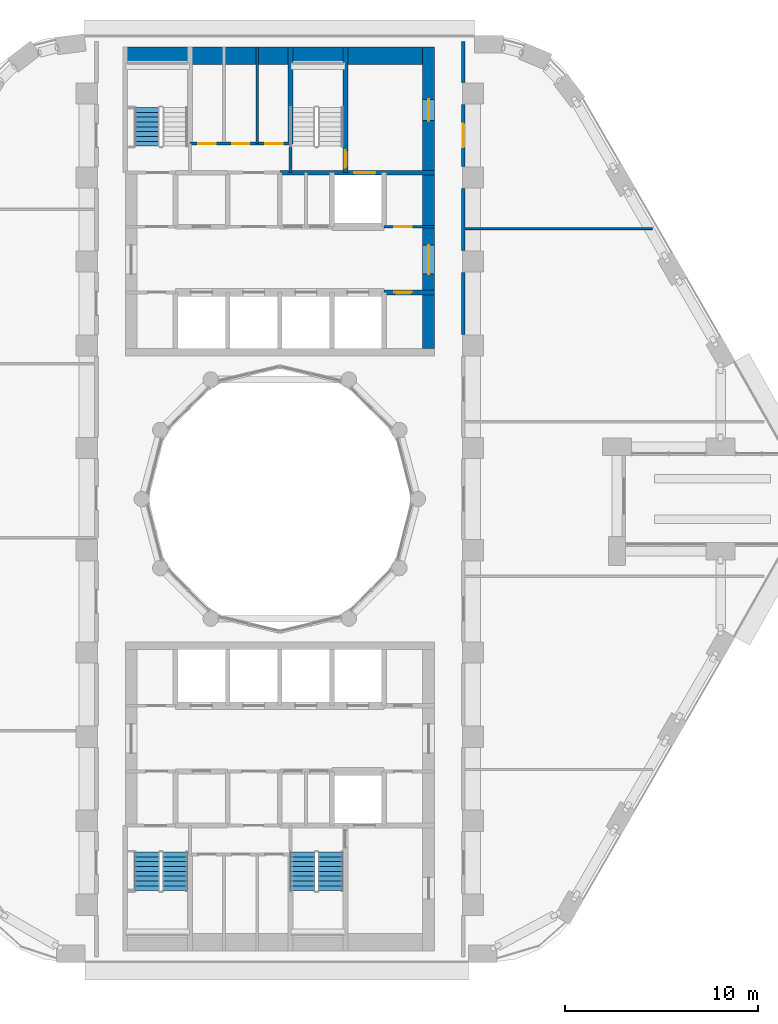
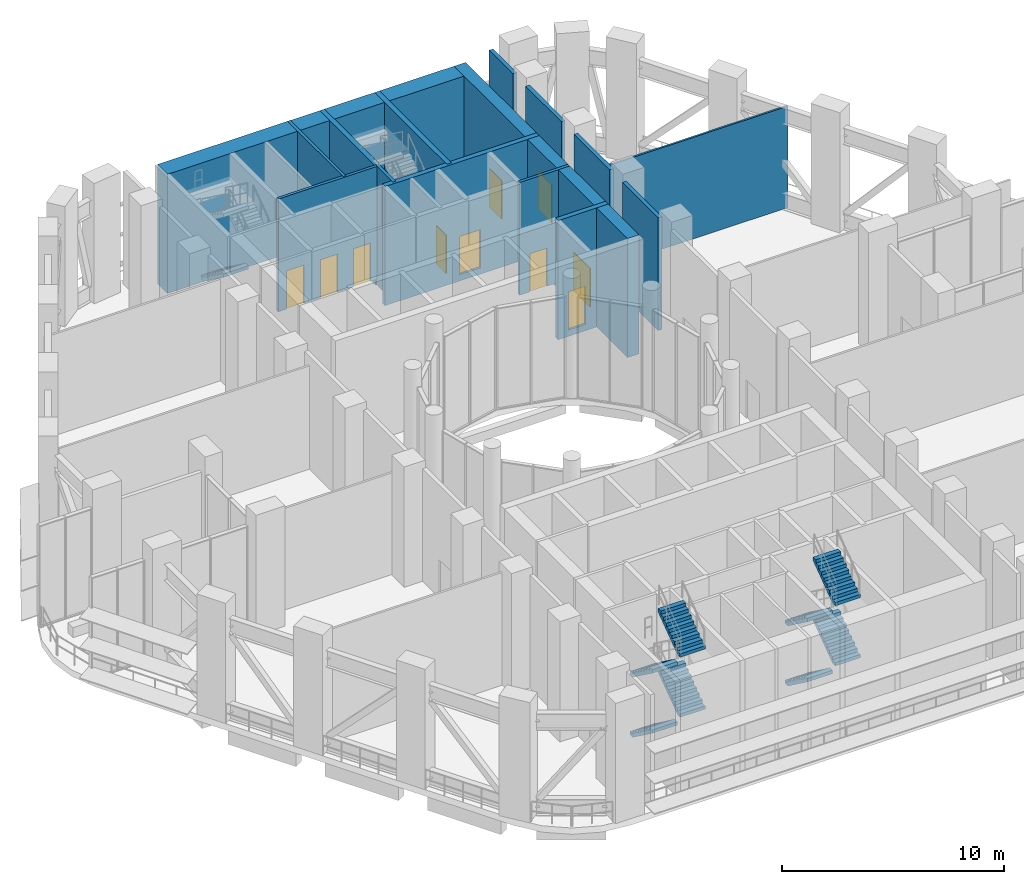
# One storey, part 11 of 20: 15 walls, 10 doors, 9 stair flights, 10 openings, 3 elements without a shape of their own.
"""IFC4 building model written with IfcOpenShell, lengths in metres."""

from ifc_helpers import new_model, si_unit, direction, frame, frame_2d, origin, place, context, subcontext, project, spatial, polyline, rectangle, outline, extrude, material, layer, layer_set, type_object, element, fill, aggregate, save


model = new_model("IFC4")

# Units and contexts
model_context = context("Model", 3, precision=1e-05, world=origin(), true_north=direction((0.0, 1.0)))
body_context = subcontext(model_context, "Body", "Model", "MODEL_VIEW")
ifc_project = project(units=[si_unit("LENGTHUNIT", "METRE"), si_unit("AREAUNIT", "SQUARE_METRE"), si_unit("VOLUMEUNIT", "CUBIC_METRE"), si_unit("PLANEANGLEUNIT", "RADIAN"), si_unit("MASSUNIT", "GRAM", prefix="KILO")], contexts=[model_context])

# Site, building, storey
site_placement = place(None, origin())
site = spatial("IfcSite", under=ifc_project, at=site_placement, CompositionType="ELEMENT")
building_placement = place(site_placement, origin())
building = spatial("IfcBuilding", under=site, at=building_placement, Name="Nakaniwa Court", CompositionType="ELEMENT")
storey_placement = place(building_placement, frame((0.0, 0.0, 71.10009765625)))
storey = spatial("IfcBuildingStorey", under=building, at=storey_placement, Name="S1", CompositionType="ELEMENT", Elevation=71.10009765625)

# Walls
ifc_material_1 = material(Name="Acoustic double stud partition")
ifc_layer_1 = layer(ifc_material_1, 0.199951171875)
ifc_layer_set_1 = layer_set([ifc_layer_1], Name="Acoustic double stud partition")
wall_type_1 = type_object("IfcWallType", Name="Acoustic double stud partition 200", PredefinedType="PARTITIONING", material=ifc_layer_set_1)
wall_1_placement = place(storey_placement, frame((89.5, 88.51708984375, 0.0), z_axis=(0.0, 0.0, 1.0), x_axis=(0.0, 1.0, 0.0)))
element("IfcWall", 1, at=wall_1_placement, inside=storey, type_object=wall_type_1, Name="Partition PW-078", PredefinedType="PARTITIONING", context=body_context, shape_type="SweptSolid", body=[
    extrude(rectangle(XDim=3.2158203125, YDim=0.199951171875, at=frame_2d((1.60791015625, 0.0))), origin(), (0.0, 0.0, 1.0), 6.18994140625),
])
wall_2_placement = place(storey_placement, frame((89.5, 92.866943359375, 0.0), z_axis=(0.0, 0.0, 1.0), x_axis=(0.0, 1.0, 0.0)))
element("IfcWall", 2, at=wall_2_placement, inside=storey, type_object=wall_type_1, Name="Partition PW-079", PredefinedType="PARTITIONING", context=body_context, shape_type="SweptSolid", body=[
    extrude(rectangle(XDim=3.216064453125, YDim=0.199951171875, at=frame_2d((1.60791015625, 0.0))), origin(), (0.0, 0.0, 1.0), 6.18994140625),
])

# Wall, opening, door
wall_3_placement = place(storey_placement, frame((89.5, 100.43310546875, 0.0), z_axis=(0.0, 0.0, 1.0), x_axis=(0.0, -1.0, 0.0)))
wall_3 = element("IfcWall", 3, at=wall_3_placement, inside=storey, type_object=wall_type_1, Name="Partition PW-080", PredefinedType="PARTITIONING", context=body_context, shape_type="SweptSolid", body=[
    extrude(rectangle(XDim=3.216064453125, YDim=0.199951171875, at=frame_2d((1.60791015625, 0.0))), origin(), (0.0, 0.0, 1.0), 6.18994140625),
])
opening_1_placement = place(wall_3_placement, frame((1.008056640625, 0.0, 0.0)))
opening_1 = element("IfcOpeningElement", 4, at=opening_1_placement, cuts=wall_3, Name="Opening D-30-03", PredefinedType="OPENING", context=body_context, shape_type="SweptSolid", body=[
    extrude(rectangle(XDim=1.199951171875, YDim=2.10009765625, at=frame_2d((0.60009765625, 1.050048828125))), frame((0.0, 0.10986328125, 0.0), z_axis=(0.0, -1.0, 0.0), x_axis=(1.0, 0.0, 0.0)), (0.0, 0.0, 1.0), 0.219970703125),
])
ifc_material_2 = material(Name="Solid core timber door set, black veneer", Category="wood")
door_type_1 = type_object("IfcDoorType", Name="Internal door 1200", OperationType="NOTDEFINED", PredefinedType="DOOR", material=ifc_material_2)
door_1_placement = place(opening_1_placement, origin())
door_1 = element("IfcDoor", 5, at=door_1_placement, inside=storey, type_object=door_type_1, Name="Door D-30-03 S1-033", OperationType="SINGLE_SWING_RIGHT", OverallHeight=2.10009765625, OverallWidth=1.199951171875, PredefinedType="DOOR", context=body_context, shape_type="SweptSolid", body=[
    extrude(rectangle(XDim=1.199951171875, YDim=2.10009765625, at=frame_2d((0.60009765625, 1.050048828125))), frame((0.0, 0.02490234375, 0.0), z_axis=(0.0, -1.0, 0.0), x_axis=(1.0, 0.0, 0.0)), (0.0, 0.0, 1.0), 0.050048828125),
])
fill(opening_1, door_1)

# Wall
wall_4_placement = place(storey_placement, frame((89.5, 101.56689453125, 0.0), z_axis=(0.0, 0.0, 1.0), x_axis=(0.0, 1.0, 0.0)))
element("IfcWall", 6, at=wall_4_placement, inside=storey, type_object=wall_type_1, Name="Partition PW-081", PredefinedType="PARTITIONING", context=body_context, shape_type="SweptSolid", body=[
    extrude(rectangle(XDim=2.133056640625, YDim=0.199951171875, at=frame_2d((1.06640625, 0.0))), origin(), (0.0, 0.0, 1.0), 6.18994140625),
])

# Wall, opening, door
ifc_material_3 = material(Name="Blockwork partition", Category="masonry")
ifc_layer_2 = layer(ifc_material_3, 0.14990234375)
ifc_layer_set_2 = layer_set([ifc_layer_2], Name="Blockwork partition")
wall_type_2 = type_object("IfcWallType", Name="Blockwork partition 150", PredefinedType="PARTITIONING", material=ifc_layer_set_2)
wall_5_placement = place(storey_placement, frame((85.39697265625, 94.10009765625, 0.0), z_axis=(0.0, 0.0, 1.0), x_axis=(1.0, 0.0, 0.0)))
wall_5 = element("IfcWall", 7, at=wall_5_placement, inside=storey, type_object=wall_type_2, Name="Partition PW-018", PredefinedType="PARTITIONING", context=body_context, shape_type="SweptSolid", body=[
    extrude(rectangle(XDim=2.60302734375, YDim=0.14990234375, at=frame_2d((1.301513671875, 0.0))), origin(), (0.0, 0.0, 1.0), 6.18994140625),
])
opening_2_placement = place(wall_5_placement, frame((0.528076171875, 0.0, 0.0)))
opening_2 = element("IfcOpeningElement", 8, at=opening_2_placement, cuts=wall_5, Name="Opening D-05-06", PredefinedType="OPENING", context=body_context, shape_type="SweptSolid", body=[
    extrude(rectangle(XDim=0.89990234375, YDim=2.10009765625, at=frame_2d((0.449951171875, 1.050048828125))), frame((0.0, 0.0849609375, 0.0), z_axis=(0.0, -1.0, 0.0), x_axis=(1.0, 0.0, 0.0)), (0.0, 0.0, 1.0), 0.169921875),
])
ifc_material_4 = material(Name="Fire rated steel door set", Category="steel")
door_type_2 = type_object("IfcDoorType", Name="Service room door 900", OperationType="NOTDEFINED", PredefinedType="DOOR", material=ifc_material_4)
door_2_placement = place(opening_2_placement, origin())
door_2 = element("IfcDoor", 9, at=door_2_placement, inside=storey, type_object=door_type_2, Name="Door D-05-06 S1-008", OperationType="SINGLE_SWING_LEFT", OverallHeight=2.10009765625, OverallWidth=0.89990234375, PredefinedType="DOOR", context=body_context, shape_type="SweptSolid", body=[
    extrude(rectangle(XDim=0.89990234375, YDim=2.10009765625, at=frame_2d((0.449951171875, 1.050048828125))), frame((0.0, 0.02490234375, 0.0), z_axis=(0.0, -1.0, 0.0), x_axis=(1.0, 0.0, 0.0)), (0.0, 0.0, 1.0), 0.050048828125),
])
fill(opening_2, door_2)

# Wall, openings, doors
wall_6_placement = place(storey_placement, frame((75.35009765625, 98.39990234375, 0.0), z_axis=(0.0, 0.0, 1.0), x_axis=(1.0, 0.0, 0.0)))
wall_6 = element("IfcWall", 10, at=wall_6_placement, inside=storey, type_object=wall_type_2, Name="Partition PW-033", PredefinedType="PARTITIONING", context=body_context, shape_type="SweptSolid", body=[
    extrude(rectangle(XDim=5.199951171875, YDim=0.14990234375, at=frame_2d((2.60009765625, 0.0))), origin(), (0.0, 0.0, 1.0), 6.18994140625),
])
opening_3_placement = place(wall_6_placement, frame((0.43408203125, 0.0, 0.0)))
opening_3 = element("IfcOpeningElement", 11, at=opening_3_placement, cuts=wall_6, Name="Opening D-05-07", PredefinedType="OPENING", context=body_context, shape_type="SweptSolid", body=[
    extrude(rectangle(XDim=0.89990234375, YDim=2.10009765625, at=frame_2d((0.449951171875, 1.050048828125))), frame((0.0, 0.0849609375, 0.0), z_axis=(0.0, -1.0, 0.0), x_axis=(1.0, 0.0, 0.0)), (0.0, 0.0, 1.0), 0.169921875),
])
opening_4_placement = place(wall_6_placement, frame((2.176025390625, 0.0, 0.0)))
opening_4 = element("IfcOpeningElement", 12, at=opening_4_placement, cuts=wall_6, Name="Opening D-05-08", PredefinedType="OPENING", context=body_context, shape_type="SweptSolid", body=[
    extrude(rectangle(XDim=0.89990234375, YDim=2.10009765625, at=frame_2d((0.449951171875, 1.050048828125))), frame((0.0, 0.0849609375, 0.0), z_axis=(0.0, -1.0, 0.0), x_axis=(1.0, 0.0, 0.0)), (0.0, 0.0, 1.0), 0.169921875),
])
opening_5_placement = place(wall_6_placement, frame((3.89208984375, 0.0, 0.0)))
opening_5 = element("IfcOpeningElement", 13, at=opening_5_placement, cuts=wall_6, Name="Opening D-05-09", PredefinedType="OPENING", context=body_context, shape_type="SweptSolid", body=[
    extrude(rectangle(XDim=0.89990234375, YDim=2.10009765625, at=frame_2d((0.449951171875, 1.050048828125))), frame((0.0, 0.0849609375, 0.0), z_axis=(0.0, -1.0, 0.0), x_axis=(1.0, 0.0, 0.0)), (0.0, 0.0, 1.0), 0.169921875),
])
door_3_placement = place(opening_3_placement, origin())
door_3 = element("IfcDoor", 14, at=door_3_placement, inside=storey, type_object=door_type_2, Name="Door D-05-07 S1-010", OperationType="SINGLE_SWING_LEFT", OverallHeight=2.10009765625, OverallWidth=0.89990234375, PredefinedType="DOOR", context=body_context, shape_type="SweptSolid", body=[
    extrude(rectangle(XDim=0.89990234375, YDim=2.10009765625, at=frame_2d((0.449951171875, 1.050048828125))), frame((0.0, 0.02490234375, 0.0), z_axis=(0.0, -1.0, 0.0), x_axis=(1.0, 0.0, 0.0)), (0.0, 0.0, 1.0), 0.050048828125),
])
fill(opening_3, door_3)
door_4_placement = place(opening_4_placement, origin())
door_4 = element("IfcDoor", 15, at=door_4_placement, inside=storey, type_object=door_type_2, Name="Door D-05-08 S1-011", OperationType="SINGLE_SWING_RIGHT", OverallHeight=2.10009765625, OverallWidth=0.89990234375, PredefinedType="DOOR", context=body_context, shape_type="SweptSolid", body=[
    extrude(rectangle(XDim=0.89990234375, YDim=2.10009765625, at=frame_2d((0.449951171875, 1.050048828125))), frame((0.0, 0.02490234375, 0.0), z_axis=(0.0, -1.0, 0.0), x_axis=(1.0, 0.0, 0.0)), (0.0, 0.0, 1.0), 0.050048828125),
])
fill(opening_4, door_4)
door_5_placement = place(opening_5_placement, origin())
door_5 = element("IfcDoor", 16, at=door_5_placement, inside=storey, type_object=door_type_2, Name="Door D-05-09 S1-012", OperationType="SINGLE_SWING_LEFT", OverallHeight=2.10009765625, OverallWidth=0.89990234375, PredefinedType="DOOR", context=body_context, shape_type="SweptSolid", body=[
    extrude(rectangle(XDim=0.89990234375, YDim=2.10009765625, at=frame_2d((0.449951171875, 1.050048828125))), frame((0.0, 0.02490234375, 0.0), z_axis=(0.0, -1.0, 0.0), x_axis=(1.0, 0.0, 0.0)), (0.0, 0.0, 1.0), 0.050048828125),
])
fill(opening_5, door_5)

# Wall
wall_7_placement = place(storey_placement, frame((78.833984375, 98.39990234375, 0.0), z_axis=(0.0, 0.0, 1.0), x_axis=(0.0, 1.0, 0.0)))
element("IfcWall", 17, at=wall_7_placement, inside=storey, type_object=wall_type_2, Name="Partition PW-035", PredefinedType="PARTITIONING", context=body_context, shape_type="SweptSolid", body=[
    extrude(rectangle(XDim=5.0, YDim=0.14990234375, at=frame_2d((2.5, 0.0))), origin(), (0.0, 0.0, 1.0), 6.18994140625),
])

# Wall, openings, doors
ifc_material_5 = material(Name="Concrete C100/115", Category="concrete")
ifc_layer_3 = layer(ifc_material_5, 0.60009765625)
ifc_layer_set_3 = layer_set([ifc_layer_3], Name="Concrete C100/115")
wall_type_3 = type_object("IfcWallType", Name="Concrete core side wall 600 C100", PredefinedType="SHEAR", material=ifc_layer_set_3)
wall_8_placement = place(storey_placement, frame((87.699951171875, 103.39990234375, -0.35009765625), z_axis=(0.0, 0.0, 1.0), x_axis=(0.0, -1.0, 0.0)))
wall_8 = element("IfcWall", 18, at=wall_8_placement, inside=storey, type_object=wall_type_3, Name="Core wall SW-15", PredefinedType="SHEAR", context=body_context, shape_type="SweptSolid", body=[
    extrude(rectangle(XDim=15.599853515625, YDim=0.60009765625, at=frame_2d((7.7998046875, 0.0))), origin(), (0.0, 0.0, 1.0), 6.5400390625),
])
opening_6_placement = place(wall_8_placement, frame((10.25, 0.0, 0.35009765625)))
opening_6 = element("IfcOpeningElement", 19, at=opening_6_placement, cuts=wall_8, Name="Opening D-07-01", PredefinedType="OPENING", context=body_context, shape_type="SweptSolid", body=[
    extrude(rectangle(XDim=1.5, YDim=2.10009765625, at=frame_2d((0.75, 1.050048828125))), frame((0.0, 0.31005859375, 0.0), z_axis=(0.0, -1.0, 0.0), x_axis=(1.0, 0.0, 0.0)), (0.0, 0.0, 1.0), 0.6201171875),
])
opening_7_placement = place(wall_8_placement, frame((2.699951171875, 0.0, 0.35009765625)))
opening_7 = element("IfcOpeningElement", 20, at=opening_7_placement, cuts=wall_8, Name="Opening D-10-01", PredefinedType="OPENING", context=body_context, shape_type="SweptSolid", body=[
    extrude(rectangle(XDim=1.10009765625, YDim=2.10009765625, at=frame_2d((0.550048828125, 1.050048828125))), frame((0.0, 0.31005859375, 0.0), z_axis=(0.0, -1.0, 0.0), x_axis=(1.0, 0.0, 0.0)), (0.0, 0.0, 1.0), 0.6201171875),
])
door_type_3 = type_object("IfcDoorType", Name="Firefighting lobby door 1100", OperationType="NOTDEFINED", PredefinedType="DOOR", material=ifc_material_4)
door_6_placement = place(opening_7_placement, origin())
door_6 = element("IfcDoor", 21, at=door_6_placement, inside=storey, type_object=door_type_3, Name="Door D-10-01 S1-041", OperationType="SINGLE_SWING_RIGHT", OverallHeight=2.10009765625, OverallWidth=1.10009765625, PredefinedType="DOOR", context=body_context, shape_type="SweptSolid", body=[
    extrude(rectangle(XDim=1.10009765625, YDim=2.10009765625, at=frame_2d((0.550048828125, 1.050048828125))), frame((0.0, 0.02490234375, 0.0), z_axis=(0.0, -1.0, 0.0), x_axis=(1.0, 0.0, 0.0)), (0.0, 0.0, 1.0), 0.050048828125),
])
fill(opening_7, door_6)
ifc_material_6 = material(Name="Glazed fire rated steel double door set", Category="steel")
door_type_4 = type_object("IfcDoorType", Name="Lobby double door 1500", OperationType="NOTDEFINED", PredefinedType="DOOR", material=ifc_material_6)
door_7_placement = place(opening_6_placement, origin())
door_7 = element("IfcDoor", 22, at=door_7_placement, inside=storey, type_object=door_type_4, Name="Door D-07-01 S1-039", OperationType="DOUBLE_DOOR_SINGLE_SWING", OverallHeight=2.10009765625, OverallWidth=1.5, PredefinedType="DOOR", context=body_context, shape_type="SweptSolid", body=[
    extrude(rectangle(XDim=1.5, YDim=2.10009765625, at=frame_2d((0.75, 1.050048828125))), frame((0.0, 0.02490234375, 0.0), z_axis=(0.0, -1.0, 0.0), x_axis=(1.0, 0.0, 0.0)), (0.0, 0.0, 1.0), 0.050048828125),
])
fill(opening_6, door_7)

# Walls
ifc_layer_4 = layer(ifc_material_5, 0.14990234375)
ifc_layer_set_4 = layer_set([ifc_layer_4], Name="Concrete C100/115")
wall_type_4 = type_object("IfcWallType", Name="Concrete core wall 150 C100", PredefinedType="SHEAR", material=ifc_layer_set_4)
wall_9_placement = place(storey_placement, frame((80.550048828125, 96.89990234375, -0.35009765625), z_axis=(0.0, 0.0, 1.0), x_axis=(0.0, 1.0, 0.0)))
element("IfcWall", 23, at=wall_9_placement, inside=storey, type_object=wall_type_4, Name="Core wall SW-31", PredefinedType="SHEAR", context=body_context, shape_type="SweptSolid", body=[
    extrude(rectangle(XDim=1.503173828125, YDim=0.14990234375, at=frame_2d((0.75146484375, 0.0))), origin(), (0.0, 0.0, 1.0), 6.5400390625),
])
ifc_layer_5 = layer(ifc_material_5, 0.89990234375)
ifc_layer_set_5 = layer_set([ifc_layer_5], Name="Concrete C100/115")
wall_type_5 = type_object("IfcWallType", Name="Concrete core wall 900 C100", PredefinedType="SHEAR", material=ifc_layer_set_5)
wall_10_placement = place(storey_placement, frame((72.00390625, 102.949951171875, -0.35009765625), z_axis=(0.0, 0.0, 1.0), x_axis=(1.0, 0.0, 0.0)))
element("IfcWall", 24, at=wall_10_placement, inside=storey, type_object=wall_type_5, Name="Core wall SW-102", PredefinedType="SHEAR", context=body_context, shape_type="SweptSolid", body=[
    extrude(rectangle(XDim=15.9921875, YDim=0.89990234375, at=frame_2d((7.99609375, 0.0))), origin(), (0.0, 0.0, 1.0), 6.5400390625),
])

# Wall, opening, door
ifc_layer_6 = layer(ifc_material_5, 0.25)
ifc_layer_set_6 = layer_set([ifc_layer_6], Name="Concrete C100/115")
wall_type_6 = type_object("IfcWallType", Name="Concrete shaft wall 250 C100", PredefinedType="SHEAR", material=ifc_layer_set_6)
wall_11_placement = place(storey_placement, frame((88.0, 90.699951171875, -0.35009765625), z_axis=(0.0, 0.0, 1.0), x_axis=(-1.0, 0.0, 0.0)))
wall_11 = element("IfcWall", 25, at=wall_11_placement, inside=storey, type_object=wall_type_6, Name="Core wall SW-14", PredefinedType="SHEAR", context=body_context, shape_type="SweptSolid", body=[
    extrude(rectangle(XDim=2.60009765625, YDim=0.25, at=frame_2d((1.300048828125, 0.0))), origin(), (0.0, 0.0, 1.0), 6.5400390625),
])
opening_8_placement = place(wall_11_placement, frame((1.175048828125, 0.0, 0.35009765625)))
opening_8 = element("IfcOpeningElement", 26, at=opening_8_placement, cuts=wall_11, Name="Opening D-05-02", PredefinedType="OPENING", context=body_context, shape_type="SweptSolid", body=[
    extrude(rectangle(XDim=0.89990234375, YDim=2.10009765625, at=frame_2d((0.449951171875, 1.050048828125))), frame((0.0, 0.135009765625, 0.0), z_axis=(0.0, -1.0, 0.0), x_axis=(1.0, 0.0, 0.0)), (0.0, 0.0, 1.0), 0.27001953125),
])
door_8_placement = place(opening_8_placement, origin())
door_8 = element("IfcDoor", 27, at=door_8_placement, inside=storey, type_object=door_type_2, Name="Door D-05-02 S1-002", OperationType="SINGLE_SWING_LEFT", OverallHeight=2.10009765625, OverallWidth=0.89990234375, PredefinedType="DOOR", context=body_context, shape_type="SweptSolid", body=[
    extrude(rectangle(XDim=0.89990234375, YDim=2.10009765625, at=frame_2d((0.449951171875, 1.050048828125))), frame((0.0, 0.02490234375, 0.0), z_axis=(0.0, -1.0, 0.0), x_axis=(1.0, 0.0, 0.0)), (0.0, 0.0, 1.0), 0.050048828125),
])
fill(opening_8, door_8)

wall_12_placement = place(storey_placement, frame((80.0, 96.89990234375, -0.35009765625), z_axis=(0.0, 0.0, 1.0), x_axis=(1.0, 0.0, 0.0)))
wall_12 = element("IfcWall", 28, at=wall_12_placement, inside=storey, type_object=wall_type_6, Name="Core wall SW-24", PredefinedType="SHEAR", context=body_context, shape_type="SweptSolid", body=[
    extrude(rectangle(XDim=8.0, YDim=0.25, at=frame_2d((4.0, 0.0))), origin(), (0.0, 0.0, 1.0), 6.5400390625),
])
opening_9_placement = place(wall_12_placement, frame((3.84912109375, 0.0, 0.35009765625)))
opening_9 = element("IfcOpeningElement", 29, at=opening_9_placement, cuts=wall_12, Name="Opening LD05", PredefinedType="OPENING", context=body_context, shape_type="SweptSolid", body=[
    extrude(rectangle(XDim=1.10009765625, YDim=2.10009765625, at=frame_2d((0.550048828125, 1.050048828125))), frame((0.0, 0.135009765625, 0.0), z_axis=(0.0, -1.0, 0.0), x_axis=(1.0, 0.0, 0.0)), (0.0, 0.0, 1.0), 0.27001953125),
])
ifc_material_7 = material(Name="Stainless steel sliding lift landing door", Category="steel")
door_type_5 = type_object("IfcDoorType", Name="Lift landing door 1100", OperationType="NOTDEFINED", PredefinedType="DOOR", material=ifc_material_7)
door_9_placement = place(opening_9_placement, origin())
door_9 = element("IfcDoor", 30, at=door_9_placement, inside=storey, type_object=door_type_5, Name="Lift landing door LD05 S1-005", OperationType="SLIDING_TO_LEFT", OverallHeight=2.10009765625, OverallWidth=1.10009765625, PredefinedType="DOOR", context=body_context, shape_type="SweptSolid", body=[
    extrude(rectangle(XDim=1.10009765625, YDim=2.10009765625, at=frame_2d((0.550048828125, 1.050048828125))), frame((0.0, 0.02490234375, 0.0), z_axis=(0.0, -1.0, 0.0), x_axis=(1.0, 0.0, 0.0)), (0.0, 0.0, 1.0), 0.050048828125),
])
fill(opening_9, door_9)

wall_13_placement = place(storey_placement, frame((83.39990234375, 103.39990234375, -0.35009765625), z_axis=(0.0, 0.0, 1.0), x_axis=(0.0, -1.0, 0.0)))
wall_13 = element("IfcWall", 31, at=wall_13_placement, inside=storey, type_object=wall_type_6, Name="Core wall SW-30", PredefinedType="SHEAR", context=body_context, shape_type="SweptSolid", body=[
    extrude(rectangle(XDim=6.5, YDim=0.25, at=frame_2d((3.25, 0.0))), origin(), (0.0, 0.0, 1.0), 6.5400390625),
])
opening_10_placement = place(wall_13_placement, frame((5.35009765625, 0.0, 0.35009765625)))
opening_10 = element("IfcOpeningElement", 32, at=opening_10_placement, cuts=wall_13, Name="Opening D-11-01", PredefinedType="OPENING", context=body_context, shape_type="SweptSolid", body=[
    extrude(rectangle(XDim=0.89990234375, YDim=2.10009765625, at=frame_2d((0.449951171875, 1.050048828125))), frame((0.0, 0.135009765625, 0.0), z_axis=(0.0, -1.0, 0.0), x_axis=(1.0, 0.0, 0.0)), (0.0, 0.0, 1.0), 0.27001953125),
])
door_type_6 = type_object("IfcDoorType", Name="Stair door 900", OperationType="NOTDEFINED", PredefinedType="DOOR", material=ifc_material_4)
door_10_placement = place(opening_10_placement, origin())
door_10 = element("IfcDoor", 33, at=door_10_placement, inside=storey, type_object=door_type_6, Name="Door D-11-01 S1-014", OperationType="SINGLE_SWING_RIGHT", OverallHeight=2.10009765625, OverallWidth=0.89990234375, PredefinedType="DOOR", context=body_context, shape_type="SweptSolid", body=[
    extrude(rectangle(XDim=0.89990234375, YDim=2.10009765625, at=frame_2d((0.449951171875, 1.050048828125))), frame((0.0, 0.02490234375, 0.0), z_axis=(0.0, -1.0, 0.0), x_axis=(1.0, 0.0, 0.0)), (0.0, 0.0, 1.0), 0.050048828125),
])
fill(opening_10, door_10)

# Walls
wall_14_placement = place(storey_placement, frame((80.550048828125, 98.39697265625, -0.35009765625), z_axis=(0.0, 0.0, 1.0), x_axis=(0.0, 1.0, 0.0)))
element("IfcWall", 34, at=wall_14_placement, inside=storey, type_object=wall_type_6, Name="Core wall SW-32", PredefinedType="SHEAR", context=body_context, shape_type="SweptSolid", body=[
    extrude(rectangle(XDim=5.0029296875, YDim=0.25, at=frame_2d((2.50146484375, 0.0))), origin(), (0.0, 0.0, 1.0), 6.5400390625),
])
ifc_material_8 = material(Name="Single stud plasterboard partition")
ifc_layer_7 = layer(ifc_material_8, 0.10009765625)
ifc_layer_set_7 = layer_set([ifc_layer_7], Name="Single stud plasterboard partition")
wall_type_7 = type_object("IfcWallType", Name="Single stud plasterboard partition 100", PredefinedType="PARTITIONING", material=ifc_layer_set_7)
wall_15_placement = place(storey_placement, frame((89.5, 94.0, 0.0), z_axis=(0.0, 0.0, 1.0), x_axis=(1.0, 0.0, 0.0)))
element("IfcWall", 35, at=wall_15_placement, inside=storey, type_object=wall_type_7, Name="Partition PW-085", PredefinedType="PARTITIONING", context=body_context, shape_type="SweptSolid", body=[
    extrude(rectangle(XDim=9.783447265625, YDim=0.10009765625, at=frame_2d((4.8916015625, 0.0))), origin(), (0.0, 0.0, 1.0), 5.56982421875),
])

# Stair, stair flight
ifc_material_9 = material(Name="Concrete C80/100", Category="concrete")
stair_type = type_object("IfcStairType", Name="Dog leg stair 1300 wide 36 risers", PredefinedType="HALF_TURN_STAIR", material=ifc_material_9)
stair_1_placement = place(storey_placement, origin())
stair_1 = element("IfcStair", 36, at=stair_1_placement, inside=storey, type_object=stair_type, Name="S1 Stair ST1", PredefinedType="HALF_TURN_STAIR")
stair_flight_type = type_object("IfcStairFlightType", Name="Stair flight 1300 wide 9 risers", PredefinedType="STRAIGHT", material=ifc_material_9)
stair_flight_1_placement = place(storey_placement, frame((73.125, 100.27490234375, 1.64990234375), z_axis=(0.0, 0.0, 1.0), x_axis=(0.0, -1.0, 0.0)))
stair_flight_1 = element("IfcStairFlight", 37, at=stair_flight_1_placement, type_object=stair_flight_type, Name="ST1 flight 2", NumberOfRisers=9, NumberOfTreads=8, PredefinedType="STRAIGHT", RiserHeight=0.183333333, TreadLength=0.25, context=body_context, shape_type="SweptSolid", body=[
    extrude(outline(polyline([(0.0, 0.0), (0.0, 0.026123046875), (0.0, 0.052490234375), (0.0, 0.07861328125), (0.0, 0.104736328125), (0.0, 0.130859375), (0.0, 0.1572265625), (0.0, 0.183349609375), (0.25, 0.183349609375), (0.25, 0.36669921875), (0.5, 0.36669921875), (0.5, 0.550048828125), (0.75, 0.550048828125), (0.75, 0.7333984375), (1.0, 0.7333984375), (1.0, 0.916748046875), (1.25, 0.916748046875), (1.25, 1.10009765625), (1.5, 1.10009765625), (1.5, 1.283447265625), (1.75, 1.283447265625), (1.75, 1.466552734375), (2.0, 1.466552734375), (2.0, 1.64990234375), (2.0, 1.59716796875), (2.0, 1.54443359375), (2.0, 1.49169921875), (2.0, 1.43896484375), (2.0, 1.38623046875), (2.0, 1.33349609375), (2.0, 1.28076171875), (0.25341796875, 0.0), (0.0, 0.0)])), frame((0.0, 0.64990234375, 0.0), z_axis=(0.0, -1.0, 0.0), x_axis=(1.0, 0.0, 0.0)), (0.0, 0.0, 1.0), 1.300048828125),
])
aggregate(stair_1, [stair_flight_1])

# Stair, stair flights
stair_2_placement = place(storey_placement, origin())
stair_2 = element("IfcStair", 38, at=stair_2_placement, inside=storey, type_object=stair_type, Name="S1 Stair ST3", PredefinedType="HALF_TURN_STAIR")
stair_flight_2_placement = place(storey_placement, frame((73.125, 61.72509765625, 0.0), z_axis=(0.0, 0.0, 1.0), x_axis=(0.0, -1.0, 0.0)))
stair_flight_2 = element("IfcStairFlight", 39, at=stair_flight_2_placement, type_object=stair_flight_type, Name="ST3 flight 1", NumberOfRisers=9, NumberOfTreads=8, PredefinedType="STRAIGHT", RiserHeight=0.183333333, TreadLength=0.25, context=body_context, shape_type="SweptSolid", body=[
    extrude(outline(polyline([(0.0, 0.0), (0.0, 0.026123046875), (0.0, 0.052490234375), (0.0, 0.07861328125), (0.0, 0.104736328125), (0.0, 0.130859375), (0.0, 0.1572265625), (0.0, 0.183349609375), (0.25, 0.183349609375), (0.25, 0.36669921875), (0.5, 0.36669921875), (0.5, 0.550048828125), (0.75, 0.550048828125), (0.75, 0.7333984375), (1.0, 0.7333984375), (1.0, 0.916748046875), (1.25, 0.916748046875), (1.25, 1.10009765625), (1.5, 1.10009765625), (1.5, 1.283447265625), (1.75, 1.283447265625), (1.75, 1.466552734375), (2.0, 1.466552734375), (2.0, 1.64990234375), (2.0, 1.59716796875), (2.0, 1.54443359375), (2.0, 1.49169921875), (2.0, 1.43896484375), (2.0, 1.38623046875), (2.0, 1.33349609375), (2.0, 1.28076171875), (0.25341796875, 0.0), (0.0, 0.0)])), frame((0.0, 0.64990234375, 0.0), z_axis=(0.0, -1.0, 0.0), x_axis=(1.0, 0.0, 0.0)), (0.0, 0.0, 1.0), 1.300048828125),
])
stair_flight_3_placement = place(storey_placement, frame((74.574951171875, 59.72509765625, 1.64990234375), z_axis=(0.0, 0.0, 1.0), x_axis=(0.0, 1.0, 0.0)))
stair_flight_3 = element("IfcStairFlight", 40, at=stair_flight_3_placement, type_object=stair_flight_type, Name="ST3 flight 2", NumberOfRisers=9, NumberOfTreads=8, PredefinedType="STRAIGHT", RiserHeight=0.183333333, TreadLength=0.25, context=body_context, shape_type="SweptSolid", body=[
    extrude(outline(polyline([(0.0, 0.0), (0.0, 0.026123046875), (0.0, 0.052490234375), (0.0, 0.07861328125), (0.0, 0.104736328125), (0.0, 0.130859375), (0.0, 0.1572265625), (0.0, 0.183349609375), (0.25, 0.183349609375), (0.25, 0.36669921875), (0.5, 0.36669921875), (0.5, 0.550048828125), (0.75, 0.550048828125), (0.75, 0.7333984375), (1.0, 0.7333984375), (1.0, 0.916748046875), (1.25, 0.916748046875), (1.25, 1.10009765625), (1.5, 1.10009765625), (1.5, 1.283447265625), (1.75, 1.283447265625), (1.75, 1.466552734375), (2.0, 1.466552734375), (2.0, 1.64990234375), (2.0, 1.59716796875), (2.0, 1.54443359375), (2.0, 1.49169921875), (2.0, 1.43896484375), (2.0, 1.38623046875), (2.0, 1.33349609375), (2.0, 1.28076171875), (0.25341796875, 0.0), (0.0, 0.0)])), frame((0.0, 0.64990234375, 0.0), z_axis=(0.0, -1.0, 0.0), x_axis=(1.0, 0.0, 0.0)), (0.0, 0.0, 1.0), 1.300048828125),
])
stair_flight_4_placement = place(storey_placement, frame((73.125, 61.72509765625, 3.2998046875), z_axis=(0.0, 0.0, 1.0), x_axis=(0.0, -1.0, 0.0)))
stair_flight_4 = element("IfcStairFlight", 41, at=stair_flight_4_placement, type_object=stair_flight_type, Name="ST3 flight 3", NumberOfRisers=9, NumberOfTreads=8, PredefinedType="STRAIGHT", RiserHeight=0.183333333, TreadLength=0.25, context=body_context, shape_type="SweptSolid", body=[
    extrude(outline(polyline([(0.0, 0.0), (0.0, 0.026123046875), (0.0, 0.052490234375), (0.0, 0.07861328125), (0.0, 0.104736328125), (0.0, 0.130859375), (0.0, 0.1572265625), (0.0, 0.183349609375), (0.25, 0.183349609375), (0.25, 0.36669921875), (0.5, 0.36669921875), (0.5, 0.550048828125), (0.75, 0.550048828125), (0.75, 0.7333984375), (1.0, 0.7333984375), (1.0, 0.916748046875), (1.25, 0.916748046875), (1.25, 1.10009765625), (1.5, 1.10009765625), (1.5, 1.283447265625), (1.75, 1.283447265625), (1.75, 1.466552734375), (2.0, 1.466552734375), (2.0, 1.64990234375), (2.0, 1.59716796875), (2.0, 1.54443359375), (2.0, 1.49169921875), (2.0, 1.43896484375), (2.0, 1.38623046875), (2.0, 1.33349609375), (2.0, 1.28076171875), (0.25341796875, 0.0), (0.0, 0.0)])), frame((0.0, 0.64990234375, 0.0), z_axis=(0.0, -1.0, 0.0), x_axis=(1.0, 0.0, 0.0)), (0.0, 0.0, 1.0), 1.300048828125),
])
stair_flight_5_placement = place(storey_placement, frame((74.574951171875, 59.72509765625, 4.949951171875), z_axis=(0.0, 0.0, 1.0), x_axis=(0.0, 1.0, 0.0)))
stair_flight_5 = element("IfcStairFlight", 42, at=stair_flight_5_placement, type_object=stair_flight_type, Name="ST3 flight 4", NumberOfRisers=9, NumberOfTreads=8, PredefinedType="STRAIGHT", RiserHeight=0.183333333, TreadLength=0.25, context=body_context, shape_type="SweptSolid", body=[
    extrude(outline(polyline([(0.0, 0.0), (0.0, 0.026123046875), (0.0, 0.052490234375), (0.0, 0.07861328125), (0.0, 0.104736328125), (0.0, 0.130859375), (0.0, 0.1572265625), (0.0, 0.183349609375), (0.25, 0.183349609375), (0.25, 0.36669921875), (0.5, 0.36669921875), (0.5, 0.550048828125), (0.75, 0.550048828125), (0.75, 0.7333984375), (1.0, 0.7333984375), (1.0, 0.916748046875), (1.25, 0.916748046875), (1.25, 1.10009765625), (1.5, 1.10009765625), (1.5, 1.283447265625), (1.75, 1.283447265625), (1.75, 1.466552734375), (2.0, 1.466552734375), (2.0, 1.64990234375), (2.0, 1.59716796875), (2.0, 1.54443359375), (2.0, 1.49169921875), (2.0, 1.43896484375), (2.0, 1.38623046875), (2.0, 1.33349609375), (2.0, 1.28076171875), (0.25341796875, 0.0), (0.0, 0.0)])), frame((0.0, 0.64990234375, 0.0), z_axis=(0.0, -1.0, 0.0), x_axis=(1.0, 0.0, 0.0)), (0.0, 0.0, 1.0), 1.300048828125),
])
aggregate(stair_2, [stair_flight_2, stair_flight_3, stair_flight_4, stair_flight_5])

stair_3_placement = place(storey_placement, origin())
stair_3 = element("IfcStair", 43, at=stair_3_placement, inside=storey, type_object=stair_type, Name="S1 Stair ST4", PredefinedType="HALF_TURN_STAIR")
stair_flight_6_placement = place(storey_placement, frame((81.175048828125, 61.72509765625, 0.0), z_axis=(0.0, 0.0, 1.0), x_axis=(0.0, -1.0, 0.0)))
stair_flight_6 = element("IfcStairFlight", 44, at=stair_flight_6_placement, type_object=stair_flight_type, Name="ST4 flight 1", NumberOfRisers=9, NumberOfTreads=8, PredefinedType="STRAIGHT", RiserHeight=0.183333333, TreadLength=0.25, context=body_context, shape_type="SweptSolid", body=[
    extrude(outline(polyline([(0.0, 0.0), (0.0, 0.026123046875), (0.0, 0.052490234375), (0.0, 0.07861328125), (0.0, 0.104736328125), (0.0, 0.130859375), (0.0, 0.1572265625), (0.0, 0.183349609375), (0.25, 0.183349609375), (0.25, 0.36669921875), (0.5, 0.36669921875), (0.5, 0.550048828125), (0.75, 0.550048828125), (0.75, 0.7333984375), (1.0, 0.7333984375), (1.0, 0.916748046875), (1.25, 0.916748046875), (1.25, 1.10009765625), (1.5, 1.10009765625), (1.5, 1.283447265625), (1.75, 1.283447265625), (1.75, 1.466552734375), (2.0, 1.466552734375), (2.0, 1.64990234375), (2.0, 1.59716796875), (2.0, 1.54443359375), (2.0, 1.49169921875), (2.0, 1.43896484375), (2.0, 1.38623046875), (2.0, 1.33349609375), (2.0, 1.28076171875), (0.25341796875, 0.0), (0.0, 0.0)])), frame((0.0, 0.64990234375, 0.0), z_axis=(0.0, -1.0, 0.0), x_axis=(1.0, 0.0, 0.0)), (0.0, 0.0, 1.0), 1.300048828125),
])
stair_flight_7_placement = place(storey_placement, frame((82.625, 59.72509765625, 1.64990234375), z_axis=(0.0, 0.0, 1.0), x_axis=(0.0, 1.0, 0.0)))
stair_flight_7 = element("IfcStairFlight", 45, at=stair_flight_7_placement, type_object=stair_flight_type, Name="ST4 flight 2", NumberOfRisers=9, NumberOfTreads=8, PredefinedType="STRAIGHT", RiserHeight=0.183333333, TreadLength=0.25, context=body_context, shape_type="SweptSolid", body=[
    extrude(outline(polyline([(0.0, 0.0), (0.0, 0.026123046875), (0.0, 0.052490234375), (0.0, 0.07861328125), (0.0, 0.104736328125), (0.0, 0.130859375), (0.0, 0.1572265625), (0.0, 0.183349609375), (0.25, 0.183349609375), (0.25, 0.36669921875), (0.5, 0.36669921875), (0.5, 0.550048828125), (0.75, 0.550048828125), (0.75, 0.7333984375), (1.0, 0.7333984375), (1.0, 0.916748046875), (1.25, 0.916748046875), (1.25, 1.10009765625), (1.5, 1.10009765625), (1.5, 1.283447265625), (1.75, 1.283447265625), (1.75, 1.466552734375), (2.0, 1.466552734375), (2.0, 1.64990234375), (2.0, 1.59716796875), (2.0, 1.54443359375), (2.0, 1.49169921875), (2.0, 1.43896484375), (2.0, 1.38623046875), (2.0, 1.33349609375), (2.0, 1.28076171875), (0.25341796875, 0.0), (0.0, 0.0)])), frame((0.0, 0.64990234375, 0.0), z_axis=(0.0, -1.0, 0.0), x_axis=(1.0, 0.0, 0.0)), (0.0, 0.0, 1.0), 1.300048828125),
])
stair_flight_8_placement = place(storey_placement, frame((81.175048828125, 61.72509765625, 3.2998046875), z_axis=(0.0, 0.0, 1.0), x_axis=(0.0, -1.0, 0.0)))
stair_flight_8 = element("IfcStairFlight", 46, at=stair_flight_8_placement, type_object=stair_flight_type, Name="ST4 flight 3", NumberOfRisers=9, NumberOfTreads=8, PredefinedType="STRAIGHT", RiserHeight=0.183333333, TreadLength=0.25, context=body_context, shape_type="SweptSolid", body=[
    extrude(outline(polyline([(0.0, 0.0), (0.0, 0.026123046875), (0.0, 0.052490234375), (0.0, 0.07861328125), (0.0, 0.104736328125), (0.0, 0.130859375), (0.0, 0.1572265625), (0.0, 0.183349609375), (0.25, 0.183349609375), (0.25, 0.36669921875), (0.5, 0.36669921875), (0.5, 0.550048828125), (0.75, 0.550048828125), (0.75, 0.7333984375), (1.0, 0.7333984375), (1.0, 0.916748046875), (1.25, 0.916748046875), (1.25, 1.10009765625), (1.5, 1.10009765625), (1.5, 1.283447265625), (1.75, 1.283447265625), (1.75, 1.466552734375), (2.0, 1.466552734375), (2.0, 1.64990234375), (2.0, 1.59716796875), (2.0, 1.54443359375), (2.0, 1.49169921875), (2.0, 1.43896484375), (2.0, 1.38623046875), (2.0, 1.33349609375), (2.0, 1.28076171875), (0.25341796875, 0.0), (0.0, 0.0)])), frame((0.0, 0.64990234375, 0.0), z_axis=(0.0, -1.0, 0.0), x_axis=(1.0, 0.0, 0.0)), (0.0, 0.0, 1.0), 1.300048828125),
])
stair_flight_9_placement = place(storey_placement, frame((82.625, 59.72509765625, 4.949951171875), z_axis=(0.0, 0.0, 1.0), x_axis=(0.0, 1.0, 0.0)))
stair_flight_9 = element("IfcStairFlight", 47, at=stair_flight_9_placement, type_object=stair_flight_type, Name="ST4 flight 4", NumberOfRisers=9, NumberOfTreads=8, PredefinedType="STRAIGHT", RiserHeight=0.183333333, TreadLength=0.25, context=body_context, shape_type="SweptSolid", body=[
    extrude(outline(polyline([(0.0, 0.0), (0.0, 0.026123046875), (0.0, 0.052490234375), (0.0, 0.07861328125), (0.0, 0.104736328125), (0.0, 0.130859375), (0.0, 0.1572265625), (0.0, 0.183349609375), (0.25, 0.183349609375), (0.25, 0.36669921875), (0.5, 0.36669921875), (0.5, 0.550048828125), (0.75, 0.550048828125), (0.75, 0.7333984375), (1.0, 0.7333984375), (1.0, 0.916748046875), (1.25, 0.916748046875), (1.25, 1.10009765625), (1.5, 1.10009765625), (1.5, 1.283447265625), (1.75, 1.283447265625), (1.75, 1.466552734375), (2.0, 1.466552734375), (2.0, 1.64990234375), (2.0, 1.59716796875), (2.0, 1.54443359375), (2.0, 1.49169921875), (2.0, 1.43896484375), (2.0, 1.38623046875), (2.0, 1.33349609375), (2.0, 1.28076171875), (0.25341796875, 0.0), (0.0, 0.0)])), frame((0.0, 0.64990234375, 0.0), z_axis=(0.0, -1.0, 0.0), x_axis=(1.0, 0.0, 0.0)), (0.0, 0.0, 1.0), 1.300048828125),
])
aggregate(stair_3, [stair_flight_6, stair_flight_7, stair_flight_8, stair_flight_9])

save(model, "model.ifc")
